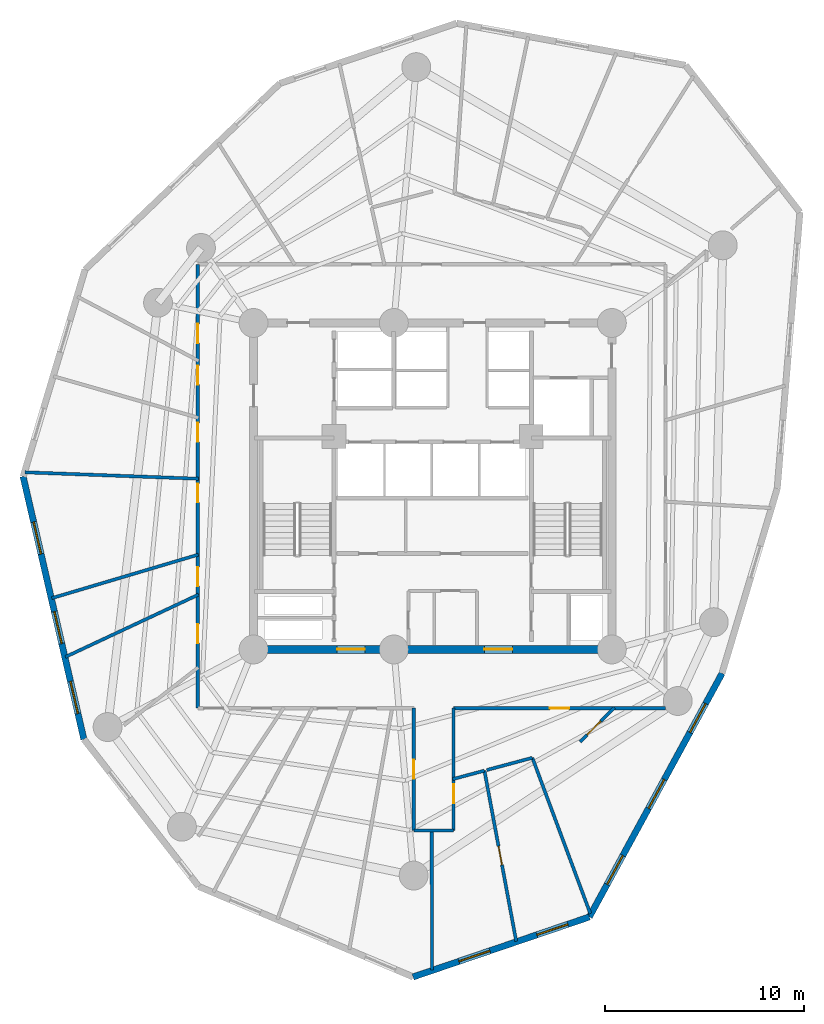
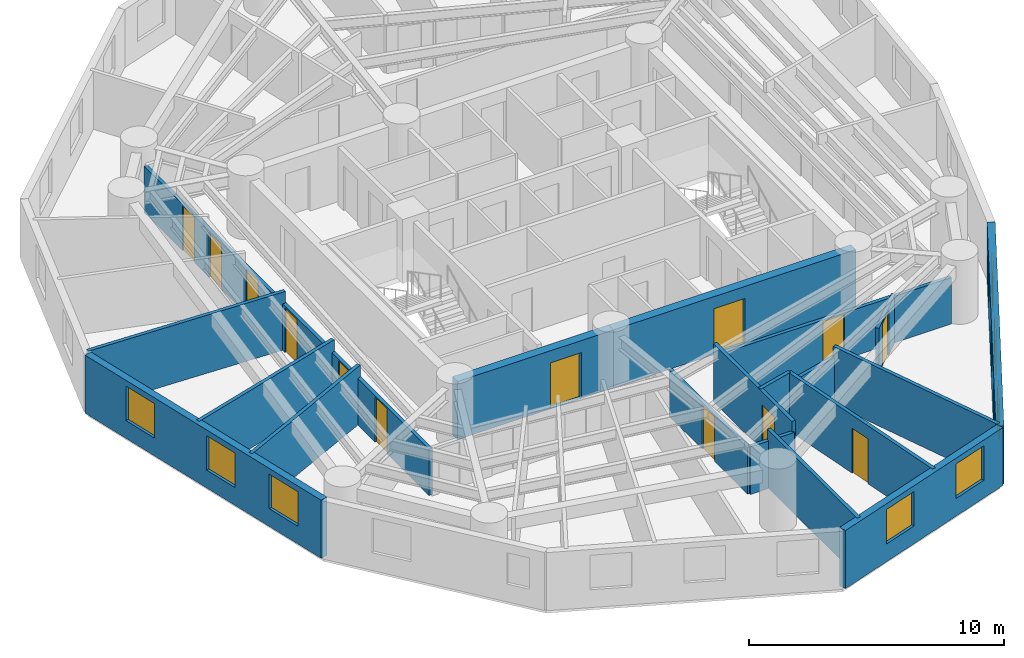
# One storey, part 3 of 7: 19 walls, 13 doors, 8 windows, 21 openings.
"""IFC4 building model written with IfcOpenShell, lengths in metres."""

from ifc_helpers import new_model, si_unit, direction, frame, frame_2d, origin, origin_with_axes, place, context, subcontext, project, spatial, rectangle, extrude, source, transform, mapped, material, layer, layer_set, type_object, element, fill, save


model = new_model("IFC4")

# Units and contexts
model_context = context("Model", 3, precision=1e-05, world=origin(), true_north=direction((0.0, 1.0)))
body_context = subcontext(model_context, "Body", "Model", "MODEL_VIEW")
ifc_project = project(units=[si_unit("LENGTHUNIT", "METRE"), si_unit("AREAUNIT", "SQUARE_METRE"), si_unit("VOLUMEUNIT", "CUBIC_METRE"), si_unit("PLANEANGLEUNIT", "RADIAN"), si_unit("MASSUNIT", "GRAM", prefix="KILO")], contexts=[model_context])

# Site, building, storey
site_placement = place(None, origin())
site = spatial("IfcSite", under=ifc_project, at=site_placement, CompositionType="ELEMENT")
building_placement = place(site_placement, origin())
building = spatial("IfcBuilding", under=site, at=building_placement, Name="Karkom Vertical University and Central Library", CompositionType="ELEMENT")
storey_placement = place(building_placement, frame((0.0, 0.0, 145.0)))
storey = spatial("IfcBuildingStorey", under=building, at=storey_placement, Name="L41", CompositionType="ELEMENT", Elevation=145.0)

# Wall, openings, windows
ifc_material_1 = material(Name="Brick-faced precast concrete C45/55", Category="masonry")
ifc_layer_1 = layer(ifc_material_1, 0.320068359375)
ifc_layer_set_1 = layer_set([ifc_layer_1], Name="Brick-faced precast concrete C45/55")
wall_type_1 = type_object("IfcWallType", Name="ENV-WL-BRK-320", PredefinedType="SOLIDWALL", material=ifc_layer_set_1)
wall_1_placement = place(storey_placement, frame((7.92724609375, 26.987548828125, 0.0), z_axis=(0.0, 0.0, 1.0), x_axis=(0.225263576739, -0.97429786051, 0.0)))
wall_1 = element("IfcWall", 1, at=wall_1_placement, inside=storey, type_object=wall_type_1, Name="Level 41 Brick-Faced Precast Facade Wall 02", PredefinedType="SOLIDWALL", context=body_context, shape_type="SweptSolid", body=[
    extrude(rectangle(XDim=13.54638671875, YDim=0.320068359375, at=frame_2d((6.773193359375, 0.0))), origin(), (0.0, 0.0, 1.0), 2.77490234375),
])
opening_1_placement = place(wall_1_placement, frame((2.3427734375, 0.0, 0.85009765625)))
opening_1 = element("IfcOpeningElement", 2, at=opening_1_placement, cuts=wall_1, Name="Opening WN-06", PredefinedType="OPENING", context=body_context, shape_type="SweptSolid", body=[
    extrude(rectangle(XDim=1.64990234375, YDim=1.64990234375, at=frame_2d((0.824951171875, 0.824951171875))), frame((0.0, 0.169921875, 0.0), z_axis=(0.0, -1.0, 0.0), x_axis=(1.0, 0.0, 0.0)), (0.0, 0.0, 1.0), 0.340087890625),
])
opening_2_placement = place(wall_1_placement, frame((6.96337890625, 0.0, 0.85009765625)))
opening_2 = element("IfcOpeningElement", 3, at=opening_2_placement, cuts=wall_1, Name="Opening WN-06", PredefinedType="OPENING", context=body_context, shape_type="SweptSolid", body=[
    extrude(rectangle(XDim=1.64990234375, YDim=1.64990234375, at=frame_2d((0.824951171875, 0.824951171875))), frame((0.0, 0.169921875, 0.0), z_axis=(0.0, -1.0, 0.0), x_axis=(1.0, 0.0, 0.0)), (0.0, 0.0, 1.0), 0.340087890625),
])
opening_3_placement = place(wall_1_placement, frame((10.569091796875, 0.0, 0.85009765625)))
opening_3 = element("IfcOpeningElement", 4, at=opening_3_placement, cuts=wall_1, Name="Opening WN-06", PredefinedType="OPENING", context=body_context, shape_type="SweptSolid", body=[
    extrude(rectangle(XDim=1.64990234375, YDim=1.64990234375, at=frame_2d((0.824951171875, 0.824951171875))), frame((0.0, 0.169921875, 0.0), z_axis=(0.0, -1.0, 0.0), x_axis=(1.0, 0.0, 0.0)), (0.0, 0.0, 1.0), 0.340087890625),
])
ifc_material_2 = material(Name="Aluminium thermal-break frame with solar-control IGU", Category="aluminium")
window_type = type_object("IfcWindowType", Name="ENV-WIN-WN-06", PartitioningType="SINGLE_PANEL", PredefinedType="WINDOW", material=ifc_material_2)
shared_shape_1 = source(origin_with_axes(), body_context, "Body", "SweptSolid", [
    extrude(rectangle(XDim=1.64990234375, YDim=1.64990234375, at=frame_2d((0.824951171875, 0.824951171875))), frame((0.0, 0.030029296875, 0.0), z_axis=(0.0, -1.0, 0.0), x_axis=(1.0, 0.0, 0.0)), (0.0, 0.0, 1.0), 0.06005859375),
])
window_1_placement = place(opening_1_placement, origin())
window_1 = element("IfcWindow", 5, at=window_1_placement, inside=storey, type_object=window_type, Name="Level 41 Punched Window 2.1", OverallHeight=1.64990234375, OverallWidth=1.64990234375, PartitioningType="SINGLE_PANEL", PredefinedType="WINDOW", context=body_context, shape_type="MappedRepresentation", body=[
    mapped(shared_shape_1, transform((0.0, 0.0, 0.0), scale=1.0)),
])
fill(opening_1, window_1)
window_2_placement = place(opening_2_placement, origin())
window_2 = element("IfcWindow", 6, at=window_2_placement, inside=storey, type_object=window_type, Name="Level 41 Punched Window 2.2", OverallHeight=1.64990234375, OverallWidth=1.64990234375, PartitioningType="SINGLE_PANEL", PredefinedType="WINDOW", context=body_context, shape_type="MappedRepresentation", body=[
    mapped(shared_shape_1, transform((0.0, 0.0, 0.0), scale=1.0)),
])
fill(opening_2, window_2)
window_3_placement = place(opening_3_placement, origin())
window_3 = element("IfcWindow", 7, at=window_3_placement, inside=storey, type_object=window_type, Name="Level 41 Punched Window 2.3", OverallHeight=1.64990234375, OverallWidth=1.64990234375, PartitioningType="SINGLE_PANEL", PredefinedType="WINDOW", context=body_context, shape_type="MappedRepresentation", body=[
    mapped(shared_shape_1, transform((0.0, 0.0, 0.0), scale=1.0)),
])
fill(opening_3, window_3)

wall_2_placement = place(storey_placement, frame((27.51416015625, 1.85009765625, 0.0), z_axis=(0.0, 0.0, 1.0), x_axis=(0.946683948228, 0.322163781588, 0.0)))
wall_2 = element("IfcWall", 8, at=wall_2_placement, inside=storey, type_object=wall_type_1, Name="Level 41 Brick-Faced Precast Facade Wall 05", PredefinedType="SOLIDWALL", context=body_context, shape_type="SweptSolid", body=[
    extrude(rectangle(XDim=9.355224609375, YDim=0.320068359375, at=frame_2d((4.677734375, 0.0))), origin(), (0.0, 0.0, 1.0), 2.77490234375),
])
opening_4_placement = place(wall_2_placement, frame((2.4296875, 0.0, 0.85009765625)))
opening_4 = element("IfcOpeningElement", 9, at=opening_4_placement, cuts=wall_2, Name="Opening WN-06", PredefinedType="OPENING", context=body_context, shape_type="SweptSolid", body=[
    extrude(rectangle(XDim=1.64990234375, YDim=1.64990234375, at=frame_2d((0.824951171875, 0.824951171875))), frame((0.0, 0.169921875, 0.0), z_axis=(0.0, -1.0, 0.0), x_axis=(1.0, 0.0, 0.0)), (0.0, 0.0, 1.0), 0.340087890625),
])
opening_5_placement = place(wall_2_placement, frame((6.566650390625, 0.0, 0.85009765625)))
opening_5 = element("IfcOpeningElement", 10, at=opening_5_placement, cuts=wall_2, Name="Opening WN-06", PredefinedType="OPENING", context=body_context, shape_type="SweptSolid", body=[
    extrude(rectangle(XDim=1.64990234375, YDim=1.64990234375, at=frame_2d((0.824951171875, 0.824951171875))), frame((0.0, 0.169921875, 0.0), z_axis=(0.0, -1.0, 0.0), x_axis=(1.0, 0.0, 0.0)), (0.0, 0.0, 1.0), 0.340087890625),
])
window_4_placement = place(opening_4_placement, origin())
window_4 = element("IfcWindow", 11, at=window_4_placement, inside=storey, type_object=window_type, Name="Level 41 Punched Window 5.1", OverallHeight=1.64990234375, OverallWidth=1.64990234375, PartitioningType="SINGLE_PANEL", PredefinedType="WINDOW", context=body_context, shape_type="MappedRepresentation", body=[
    mapped(shared_shape_1, transform((0.0, 0.0, 0.0), scale=1.0)),
])
fill(opening_4, window_4)
window_5_placement = place(opening_5_placement, origin())
window_5 = element("IfcWindow", 12, at=window_5_placement, inside=storey, type_object=window_type, Name="Level 41 Punched Window 5.2", OverallHeight=1.64990234375, OverallWidth=1.64990234375, PartitioningType="SINGLE_PANEL", PredefinedType="WINDOW", context=body_context, shape_type="MappedRepresentation", body=[
    mapped(shared_shape_1, transform((0.0, 0.0, 0.0), scale=1.0)),
])
fill(opening_5, window_5)

wall_3_placement = place(storey_placement, frame((36.37060546875, 4.864013671875, 0.0), z_axis=(0.0, 0.0, 1.0), x_axis=(0.478491211875, 0.878092341476, 0.0)))
wall_3 = element("IfcWall", 13, at=wall_3_placement, inside=storey, type_object=wall_type_1, Name="Level 41 Brick-Faced Precast Facade Wall 06", PredefinedType="SOLIDWALL", context=body_context, shape_type="SweptSolid", body=[
    extrude(rectangle(XDim=13.935302734375, YDim=0.320068359375, at=frame_2d((6.9677734375, 0.0))), origin(), (0.0, 0.0, 1.0), 2.77490234375),
])
opening_6_placement = place(wall_3_placement, frame((1.863525390625, 0.0, 0.85009765625)))
opening_6 = element("IfcOpeningElement", 14, at=opening_6_placement, cuts=wall_3, Name="Opening WN-06", PredefinedType="OPENING", context=body_context, shape_type="SweptSolid", body=[
    extrude(rectangle(XDim=1.64990234375, YDim=1.64990234375, at=frame_2d((0.824951171875, 0.824951171875))), frame((0.0, 0.169921875, 0.0), z_axis=(0.0, -1.0, 0.0), x_axis=(1.0, 0.0, 0.0)), (0.0, 0.0, 1.0), 0.340087890625),
])
opening_7_placement = place(wall_3_placement, frame((6.210205078125, 0.0, 0.85009765625)))
opening_7 = element("IfcOpeningElement", 15, at=opening_7_placement, cuts=wall_3, Name="Opening WN-06", PredefinedType="OPENING", context=body_context, shape_type="SweptSolid", body=[
    extrude(rectangle(XDim=1.64990234375, YDim=1.64990234375, at=frame_2d((0.824951171875, 0.824951171875))), frame((0.0, 0.169921875, 0.0), z_axis=(0.0, -1.0, 0.0), x_axis=(1.0, 0.0, 0.0)), (0.0, 0.0, 1.0), 0.340087890625),
])
opening_8_placement = place(wall_3_placement, frame((10.556884765625, 0.0, 0.85009765625)))
opening_8 = element("IfcOpeningElement", 16, at=opening_8_placement, cuts=wall_3, Name="Opening WN-06", PredefinedType="OPENING", context=body_context, shape_type="SweptSolid", body=[
    extrude(rectangle(XDim=1.64990234375, YDim=1.64990234375, at=frame_2d((0.824951171875, 0.824951171875))), frame((0.0, 0.169921875, 0.0), z_axis=(0.0, -1.0, 0.0), x_axis=(1.0, 0.0, 0.0)), (0.0, 0.0, 1.0), 0.340087890625),
])
window_6_placement = place(opening_6_placement, origin())
window_6 = element("IfcWindow", 17, at=window_6_placement, inside=storey, type_object=window_type, Name="Level 41 Punched Window 6.1", OverallHeight=1.64990234375, OverallWidth=1.64990234375, PartitioningType="SINGLE_PANEL", PredefinedType="WINDOW", context=body_context, shape_type="MappedRepresentation", body=[
    mapped(shared_shape_1, transform((0.0, 0.0, 0.0), scale=1.0)),
])
fill(opening_6, window_6)
window_7_placement = place(opening_7_placement, origin())
window_7 = element("IfcWindow", 18, at=window_7_placement, inside=storey, type_object=window_type, Name="Level 41 Punched Window 6.2", OverallHeight=1.64990234375, OverallWidth=1.64990234375, PartitioningType="SINGLE_PANEL", PredefinedType="WINDOW", context=body_context, shape_type="MappedRepresentation", body=[
    mapped(shared_shape_1, transform((0.0, 0.0, 0.0), scale=1.0)),
])
fill(opening_7, window_7)
window_8_placement = place(opening_8_placement, origin())
window_8 = element("IfcWindow", 19, at=window_8_placement, inside=storey, type_object=window_type, Name="Level 41 Punched Window 6.3", OverallHeight=1.64990234375, OverallWidth=1.64990234375, PartitioningType="SINGLE_PANEL", PredefinedType="WINDOW", context=body_context, shape_type="MappedRepresentation", body=[
    mapped(shared_shape_1, transform((0.0, 0.0, 0.0), scale=1.0)),
])
fill(opening_8, window_8)

# Wall, openings, doors
ifc_material_3 = material(Name="Insulated metal-stud drywall 160mm", Category="gypsum")
ifc_layer_2 = layer(ifc_material_3, 0.159912109375)
ifc_layer_set_2 = layer_set([ifc_layer_2], Name="Insulated metal-stud drywall 160mm")
wall_type_2 = type_object("IfcWallType", Name="INT-WL-COR-160", PredefinedType="PARTITIONING", material=ifc_layer_set_2)
wall_4_placement = place(storey_placement, frame((16.699951171875, 15.35009765625, 0.0), z_axis=(0.0, 0.0, 1.0), x_axis=(0.0, 1.0, 0.0)))
wall_4 = element("IfcWall", 20, at=wall_4_placement, inside=storey, type_object=wall_type_2, Name="Level 41 Interior Partition Wall L41-CORW-CW-002", PredefinedType="PARTITIONING", context=body_context, shape_type="SweptSolid", body=[
    extrude(rectangle(XDim=22.2998046875, YDim=0.159912109375, at=frame_2d((11.14990234375, 0.0))), origin(), (0.0, 0.0, 1.0), 2.219970703125),
])
opening_9_placement = place(wall_4_placement, frame((10.3349609375, 0.0, 0.0)))
opening_9 = element("IfcOpeningElement", 21, at=opening_9_placement, cuts=wall_4, Name="Opening D-RM1", PredefinedType="OPENING", context=body_context, shape_type="SweptSolid", body=[
    extrude(rectangle(XDim=0.949951171875, YDim=2.14990234375, at=frame_2d((0.47509765625, 1.074951171875))), frame((0.0, 0.08984375, 0.0), z_axis=(0.0, -1.0, 0.0), x_axis=(1.0, 0.0, 0.0)), (0.0, 0.0, 1.0), 0.179931640625),
])
opening_10_placement = place(wall_4_placement, frame((6.12939453125, 0.0, 0.0)))
opening_10 = element("IfcOpeningElement", 22, at=opening_10_placement, cuts=wall_4, Name="Opening FD-RM2", PredefinedType="OPENING", context=body_context, shape_type="SweptSolid", body=[
    extrude(rectangle(XDim=0.9599609375, YDim=2.14990234375, at=frame_2d((0.47998046875, 1.074951171875))), frame((0.0, 0.08984375, 0.0), z_axis=(0.0, -1.0, 0.0), x_axis=(1.0, 0.0, 0.0)), (0.0, 0.0, 1.0), 0.179931640625),
])
opening_11_placement = place(wall_4_placement, frame((3.269287109375, 0.0, 0.0)))
opening_11 = element("IfcOpeningElement", 23, at=opening_11_placement, cuts=wall_4, Name="Opening D-RM1", PredefinedType="OPENING", context=body_context, shape_type="SweptSolid", body=[
    extrude(rectangle(XDim=0.949951171875, YDim=2.14990234375, at=frame_2d((0.47509765625, 1.074951171875))), frame((0.0, 0.08984375, 0.0), z_axis=(0.0, -1.0, 0.0), x_axis=(1.0, 0.0, 0.0)), (0.0, 0.0, 1.0), 0.179931640625),
])
opening_12_placement = place(wall_4_placement, frame((18.33984375, 0.0, 0.0)))
opening_12 = element("IfcOpeningElement", 24, at=opening_12_placement, cuts=wall_4, Name="Opening FD-RM2", PredefinedType="OPENING", context=body_context, shape_type="SweptSolid", body=[
    extrude(rectangle(XDim=0.9599609375, YDim=2.14990234375, at=frame_2d((0.47998046875, 1.074951171875))), frame((0.0, 0.08984375, 0.0), z_axis=(0.0, -1.0, 0.0), x_axis=(1.0, 0.0, 0.0)), (0.0, 0.0, 1.0), 0.179931640625),
])
opening_13_placement = place(wall_4_placement, frame((16.25, 0.0, 0.0)))
opening_13 = element("IfcOpeningElement", 25, at=opening_13_placement, cuts=wall_4, Name="Opening FD-RM2", PredefinedType="OPENING", context=body_context, shape_type="SweptSolid", body=[
    extrude(rectangle(XDim=0.9599609375, YDim=2.14990234375, at=frame_2d((0.47998046875, 1.074951171875))), frame((0.0, 0.08984375, 0.0), z_axis=(0.0, -1.0, 0.0), x_axis=(1.0, 0.0, 0.0)), (0.0, 0.0, 1.0), 0.179931640625),
])
opening_14_placement = place(wall_4_placement, frame((13.3798828125, 0.0, 0.0)))
opening_14 = element("IfcOpeningElement", 26, at=opening_14_placement, cuts=wall_4, Name="Opening D-RM1", PredefinedType="OPENING", context=body_context, shape_type="SweptSolid", body=[
    extrude(rectangle(XDim=0.949951171875, YDim=2.14990234375, at=frame_2d((0.47509765625, 1.074951171875))), frame((0.0, 0.08984375, 0.0), z_axis=(0.0, -1.0, 0.0), x_axis=(1.0, 0.0, 0.0)), (0.0, 0.0, 1.0), 0.179931640625),
])
ifc_material_4 = material(Name="Fire-rated oak veneer door", Category="wood")
door_type_1 = type_object("IfcDoorType", Name="INT-DR-FRM2", OperationType="NOTDEFINED", PredefinedType="DOOR", material=ifc_material_4)
shared_shape_2 = source(origin_with_axes(), body_context, "Body", "SweptSolid", [
    extrude(rectangle(XDim=0.9599609375, YDim=2.14990234375, at=frame_2d((0.47998046875, 1.074951171875))), frame((0.0, 0.02490234375, 0.0), z_axis=(0.0, -1.0, 0.0), x_axis=(1.0, 0.0, 0.0)), (0.0, 0.0, 1.0), 0.050048828125),
])
door_1_placement = place(opening_10_placement, origin())
door_1 = element("IfcDoor", 27, at=door_1_placement, inside=storey, type_object=door_type_1, Name="Level 41 Room Entry Door 010", OperationType="SINGLE_SWING_LEFT", OverallHeight=2.14990234375, OverallWidth=0.9599609375, PredefinedType="DOOR", context=body_context, shape_type="MappedRepresentation", body=[
    mapped(shared_shape_2, transform((0.0, 0.0, 0.0), scale=1.0)),
])
fill(opening_10, door_1)
door_2_placement = place(opening_12_placement, origin())
door_2 = element("IfcDoor", 28, at=door_2_placement, inside=storey, type_object=door_type_1, Name="Level 41 Room Entry Door 220", OperationType="SINGLE_SWING_RIGHT", OverallHeight=2.14990234375, OverallWidth=0.9599609375, PredefinedType="DOOR", context=body_context, shape_type="MappedRepresentation", body=[
    mapped(shared_shape_2, transform((0.0, 0.0, 0.0), scale=1.0)),
])
fill(opening_12, door_2)
door_3_placement = place(opening_13_placement, origin())
door_3 = element("IfcDoor", 29, at=door_3_placement, inside=storey, type_object=door_type_1, Name="Level 41 Room Entry Door 230", OperationType="SINGLE_SWING_LEFT", OverallHeight=2.14990234375, OverallWidth=0.9599609375, PredefinedType="DOOR", context=body_context, shape_type="MappedRepresentation", body=[
    mapped(shared_shape_2, transform((0.0, 0.0, 0.0), scale=1.0)),
])
fill(opening_13, door_3)
ifc_material_5 = material(Name="Solid-core oak veneer door", Category="wood")
door_type_2 = type_object("IfcDoorType", Name="INT-DR-RM1", OperationType="NOTDEFINED", PredefinedType="DOOR", material=ifc_material_5)
shared_shape_3 = source(origin_with_axes(), body_context, "Body", "SweptSolid", [
    extrude(rectangle(XDim=0.949951171875, YDim=2.14990234375, at=frame_2d((0.47509765625, 1.074951171875))), frame((0.0, 0.02490234375, 0.0), z_axis=(0.0, -1.0, 0.0), x_axis=(1.0, 0.0, 0.0)), (0.0, 0.0, 1.0), 0.050048828125),
])
door_4_placement = place(opening_9_placement, origin())
door_4 = element("IfcDoor", 30, at=door_4_placement, inside=storey, type_object=door_type_2, Name="Level 41 Room Entry Door 000", OperationType="SINGLE_SWING_RIGHT", OverallHeight=2.14990234375, OverallWidth=0.949951171875, PredefinedType="DOOR", context=body_context, shape_type="MappedRepresentation", body=[
    mapped(shared_shape_3, transform((0.0, 0.0, 0.0), scale=1.0)),
])
fill(opening_9, door_4)
door_5_placement = place(opening_11_placement, origin())
door_5 = element("IfcDoor", 31, at=door_5_placement, inside=storey, type_object=door_type_2, Name="Level 41 Room Entry Door 020", OperationType="SINGLE_SWING_RIGHT", OverallHeight=2.14990234375, OverallWidth=0.949951171875, PredefinedType="DOOR", context=body_context, shape_type="MappedRepresentation", body=[
    mapped(shared_shape_3, transform((0.0, 0.0, 0.0), scale=1.0)),
])
fill(opening_11, door_5)
door_6_placement = place(opening_14_placement, origin())
door_6 = element("IfcDoor", 32, at=door_6_placement, inside=storey, type_object=door_type_2, Name="Level 41 Room Entry Door 240", OperationType="SINGLE_SWING_RIGHT", OverallHeight=2.14990234375, OverallWidth=0.949951171875, PredefinedType="DOOR", context=body_context, shape_type="MappedRepresentation", body=[
    mapped(shared_shape_3, transform((0.0, 0.0, 0.0), scale=1.0)),
])
fill(opening_14, door_6)

# Wall, opening, door
wall_5_placement = place(storey_placement, frame((40.199951171875, 15.35009765625, 0.0), z_axis=(0.0, 0.0, 1.0), x_axis=(-1.0, 0.0, 0.0)))
wall_5 = element("IfcWall", 33, at=wall_5_placement, inside=storey, type_object=wall_type_2, Name="Level 41 Interior Partition Wall L41-CORW-CW-005", PredefinedType="PARTITIONING", context=body_context, shape_type="SweptSolid", body=[
    extrude(rectangle(XDim=10.64990234375, YDim=0.159912109375, at=frame_2d((5.324951171875, 0.0))), origin(), (0.0, 0.0, 1.0), 2.219970703125),
])
opening_15_placement = place(wall_5_placement, frame((4.85009765625, 0.0, 0.0)))
opening_15 = element("IfcOpeningElement", 34, at=opening_15_placement, cuts=wall_5, Name="Opening FD-RM2", PredefinedType="OPENING", context=body_context, shape_type="SweptSolid", body=[
    extrude(rectangle(XDim=0.9599609375, YDim=2.14990234375, at=frame_2d((0.47998046875, 1.074951171875))), frame((0.0, 0.08984375, 0.0), z_axis=(0.0, -1.0, 0.0), x_axis=(1.0, 0.0, 0.0)), (0.0, 0.0, 1.0), 0.179931640625),
])
door_7_placement = place(opening_15_placement, origin())
door_7 = element("IfcDoor", 35, at=door_7_placement, inside=storey, type_object=door_type_1, Name="Level 41 Room Entry Door 100", OperationType="SINGLE_SWING_LEFT", OverallHeight=2.14990234375, OverallWidth=0.9599609375, PredefinedType="DOOR", context=body_context, shape_type="MappedRepresentation", body=[
    mapped(shared_shape_2, transform((0.0, 0.0, 0.0), scale=1.0)),
])
fill(opening_15, door_7)

wall_6_placement = place(storey_placement, frame((31.099853515625, 12.2138671875, 0.0), z_axis=(0.0, 0.0, 1.0), x_axis=(0.183069644089, -0.983099946808, 0.0)))
wall_6 = element("IfcWall", 36, at=wall_6_placement, inside=storey, type_object=wall_type_2, Name="Level 41 Interior Partition Wall L41-PW-010", PredefinedType="PARTITIONING", context=body_context, shape_type="SweptSolid", body=[
    extrude(rectangle(XDim=8.720458984375, YDim=0.159912109375, at=frame_2d((4.3603515625, 0.0))), origin(), (0.0, 0.0, 1.0), 2.77490234375),
])
opening_16_placement = place(wall_6_placement, frame((3.86767578125, 0.0, 0.0)))
opening_16 = element("IfcOpeningElement", 37, at=opening_16_placement, cuts=wall_6, Name="Opening D-RM1", PredefinedType="OPENING", context=body_context, shape_type="SweptSolid", body=[
    extrude(rectangle(XDim=0.949951171875, YDim=2.14990234375, at=frame_2d((0.47509765625, 1.074951171875))), frame((0.0, 0.08984375, 0.0), z_axis=(0.0, -1.0, 0.0), x_axis=(1.0, 0.0, 0.0)), (0.0, 0.0, 1.0), 0.179931640625),
])
door_8_placement = place(opening_16_placement, origin())
door_8 = element("IfcDoor", 38, at=door_8_placement, inside=storey, type_object=door_type_2, Name="Level 41 Room Entry Door 090", OperationType="SINGLE_SWING_LEFT", OverallHeight=2.14990234375, OverallWidth=0.949951171875, PredefinedType="DOOR", context=body_context, shape_type="MappedRepresentation", body=[
    mapped(shared_shape_3, transform((0.0, 0.0, 0.0), scale=1.0)),
])
fill(opening_16, door_8)

# Walls
wall_7_placement = place(storey_placement, frame((8.018798828125, 27.199462890625, 0.0), z_axis=(0.0, 0.0, 1.0), x_axis=(0.999313607649, -0.037044750864, 0.0)))
element("IfcWall", 39, at=wall_7_placement, inside=storey, type_object=wall_type_2, Name="Level 41 Interior Partition Wall L41-PW-002", PredefinedType="PARTITIONING", context=body_context, shape_type="SweptSolid", body=[
    extrude(rectangle(XDim=8.732421875, YDim=0.159912109375, at=frame_2d((4.3662109375, 0.0))), origin(), (0.0, 0.0, 1.0), 2.77490234375),
])
wall_8_placement = place(storey_placement, frame((33.5078125, 12.859130859375, 0.0), z_axis=(0.0, 0.0, 1.0), x_axis=(0.348506673198, -0.937306299316, 0.0)))
element("IfcWall", 40, at=wall_8_placement, inside=storey, type_object=wall_type_2, Name="Level 41 Interior Partition Wall L41-PW-013", PredefinedType="PARTITIONING", context=body_context, shape_type="SweptSolid", body=[
    extrude(rectangle(XDim=8.34765625, YDim=0.159912109375, at=frame_2d((4.173828125, 0.0))), origin(), (0.0, 0.0, 1.0), 2.77490234375),
])
wall_9_placement = place(storey_placement, frame((16.728759765625, 23.06494140625, 0.0), z_axis=(0.0, 0.0, 1.0), x_axis=(-0.958572718719, -0.284847929479, 0.0)))
element("IfcWall", 41, at=wall_9_placement, inside=storey, type_object=wall_type_2, Name="Level 41 Interior Partition Wall L41-PW-001", PredefinedType="PARTITIONING", context=body_context, shape_type="SweptSolid", body=[
    extrude(rectangle(XDim=7.68115234375, YDim=0.159912109375, at=frame_2d((3.840576171875, 0.0))), origin(), (0.0, 0.0, 1.0), 2.77490234375),
])
wall_10_placement = place(storey_placement, frame((16.74072265625, 21.05810546875, 0.0), z_axis=(0.0, 0.0, 1.0), x_axis=(-0.905567637558, -0.424201902174, 0.0)))
element("IfcWall", 42, at=wall_10_placement, inside=storey, type_object=wall_type_2, Name="Level 41 Interior Partition Wall L41-PW-003", PredefinedType="PARTITIONING", context=body_context, shape_type="SweptSolid", body=[
    extrude(rectangle(XDim=7.388671875, YDim=0.159912109375, at=frame_2d((3.6943359375, 0.0))), origin(), (0.0, 0.0, 1.0), 2.77490234375),
])
wall_11_placement = place(storey_placement, frame((28.455322265625, 9.22998046875, 0.0), z_axis=(0.0, 0.0, 1.0), x_axis=(0.000868507576, -0.999999622847, 0.0)))
element("IfcWall", 43, at=wall_11_placement, inside=storey, type_object=wall_type_2, Name="Level 41 Interior Partition Wall L41-PW-009", PredefinedType="PARTITIONING", context=body_context, shape_type="SweptSolid", body=[
    extrude(rectangle(XDim=7.027587890625, YDim=0.159912109375, at=frame_2d((3.513671875, 0.0))), origin(), (0.0, 0.0, 1.0), 2.77490234375),
])

# Wall, opening, door
wall_12_placement = place(storey_placement, frame((29.550048828125, 15.35009765625, 0.0), z_axis=(0.0, 0.0, 1.0), x_axis=(0.0, -1.0, 0.0)))
wall_12 = element("IfcWall", 44, at=wall_12_placement, inside=storey, type_object=wall_type_2, Name="Level 41 Interior Partition Wall L41-CORW-CW-006", PredefinedType="PARTITIONING", context=body_context, shape_type="SweptSolid", body=[
    extrude(rectangle(XDim=6.150146484375, YDim=0.159912109375, at=frame_2d((3.0751953125, 0.0))), origin(), (0.0, 0.0, 1.0), 2.77490234375),
])
opening_17_placement = place(wall_12_placement, frame((3.8125, 0.0, 0.0)))
opening_17 = element("IfcOpeningElement", 45, at=opening_17_placement, cuts=wall_12, Name="Opening FD-RM2", PredefinedType="OPENING", context=body_context, shape_type="SweptSolid", body=[
    extrude(rectangle(XDim=0.9599609375, YDim=2.14990234375, at=frame_2d((0.47998046875, 1.074951171875))), frame((0.0, 0.08984375, 0.0), z_axis=(0.0, -1.0, 0.0), x_axis=(1.0, 0.0, 0.0)), (0.0, 0.0, 1.0), 0.179931640625),
])
door_9_placement = place(opening_17_placement, origin())
door_9 = element("IfcDoor", 46, at=door_9_placement, inside=storey, type_object=door_type_1, Name="Level 41 Room Entry Door 080", OperationType="SINGLE_SWING_RIGHT", OverallHeight=2.14990234375, OverallWidth=0.9599609375, PredefinedType="DOOR", context=body_context, shape_type="MappedRepresentation", body=[
    mapped(shared_shape_2, transform((0.0, 0.0, 0.0), scale=1.0)),
])
fill(opening_17, door_9)

wall_13_placement = place(storey_placement, frame((27.550048828125, 9.199951171875, 0.0), z_axis=(0.0, 0.0, 1.0), x_axis=(0.0, 1.0, 0.0)))
wall_13 = element("IfcWall", 47, at=wall_13_placement, inside=storey, type_object=wall_type_2, Name="Level 41 Interior Partition Wall L41-CORW-CW-008", PredefinedType="PARTITIONING", context=body_context, shape_type="SweptSolid", body=[
    extrude(rectangle(XDim=6.150146484375, YDim=0.159912109375, at=frame_2d((3.0751953125, 0.0))), origin(), (0.0, 0.0, 1.0), 2.219970703125),
])
opening_18_placement = place(wall_13_placement, frame((2.60009765625, 0.0, 0.0)))
opening_18 = element("IfcOpeningElement", 48, at=opening_18_placement, cuts=wall_13, Name="Opening FD-RM2", PredefinedType="OPENING", context=body_context, shape_type="SweptSolid", body=[
    extrude(rectangle(XDim=0.9599609375, YDim=2.14990234375, at=frame_2d((0.47998046875, 1.074951171875))), frame((0.0, 0.08984375, 0.0), z_axis=(0.0, -1.0, 0.0), x_axis=(1.0, 0.0, 0.0)), (0.0, 0.0, 1.0), 0.179931640625),
])
door_10_placement = place(opening_18_placement, origin())
door_10 = element("IfcDoor", 49, at=door_10_placement, inside=storey, type_object=door_type_1, Name="Level 41 Room Entry Door 070", OperationType="SINGLE_SWING_LEFT", OverallHeight=2.14990234375, OverallWidth=0.9599609375, PredefinedType="DOOR", context=body_context, shape_type="MappedRepresentation", body=[
    mapped(shared_shape_2, transform((0.0, 0.0, 0.0), scale=1.0)),
])
fill(opening_18, door_10)

wall_14_placement = place(storey_placement, frame((37.62255859375, 15.3818359375, 0.0), z_axis=(0.0, 0.0, 1.0), x_axis=(-0.707106781187, -0.707106781187, 0.0)))
wall_14 = element("IfcWall", 50, at=wall_14_placement, inside=storey, type_object=wall_type_2, Name="Level 41 Interior Partition Wall L41-PW-014", PredefinedType="PARTITIONING", context=body_context, shape_type="SweptSolid", body=[
    extrude(rectangle(XDim=2.423828125, YDim=0.159912109375, at=frame_2d((1.2119140625, 0.0))), origin(), (0.0, 0.0, 1.0), 2.27490234375),
])
opening_19_placement = place(wall_14_placement, frame((0.969482421875, 0.0, 0.0)))
opening_19 = element("IfcOpeningElement", 51, at=opening_19_placement, cuts=wall_14, Name="Opening FD-RM2", PredefinedType="OPENING", context=body_context, shape_type="SweptSolid", body=[
    extrude(rectangle(XDim=0.9599609375, YDim=2.14990234375, at=frame_2d((0.47998046875, 1.074951171875))), frame((0.0, 0.08984375, 0.0), z_axis=(0.0, -1.0, 0.0), x_axis=(1.0, 0.0, 0.0)), (0.0, 0.0, 1.0), 0.179931640625),
])
door_11_placement = place(opening_19_placement, origin())
door_11 = element("IfcDoor", 52, at=door_11_placement, inside=storey, type_object=door_type_1, Name="Level 41 Room Entry Door 110", OperationType="SINGLE_SWING_RIGHT", OverallHeight=2.14990234375, OverallWidth=0.9599609375, PredefinedType="DOOR", context=body_context, shape_type="MappedRepresentation", body=[
    mapped(shared_shape_2, transform((0.0, 0.0, 0.0), scale=1.0)),
])
fill(opening_19, door_11)

# Walls
wall_15_placement = place(storey_placement, frame((31.216064453125, 12.244873046875, 0.0), z_axis=(0.0, 0.0, 1.0), x_axis=(0.965906248911, 0.258892097822, 0.0)))
element("IfcWall", 53, at=wall_15_placement, inside=storey, type_object=wall_type_2, Name="Level 41 Interior Partition Wall L41-PW-012", PredefinedType="PARTITIONING", context=body_context, shape_type="SweptSolid", body=[
    extrude(rectangle(XDim=2.37255859375, YDim=0.159912109375, at=frame_2d((1.186279296875, 0.0))), origin(), (0.0, 0.0, 1.0), 2.27490234375),
])
wall_16_placement = place(storey_placement, frame((29.550048828125, 9.199951171875, 0.0), z_axis=(0.0, 0.0, 1.0), x_axis=(-1.0, 0.0, 0.0)))
element("IfcWall", 54, at=wall_16_placement, inside=storey, type_object=wall_type_2, Name="Level 41 Interior Partition Wall L41-CORW-CW-007", PredefinedType="PARTITIONING", context=body_context, shape_type="SweptSolid", body=[
    extrude(rectangle(XDim=2.0, YDim=0.159912109375, at=frame_2d((1.0, 0.0))), origin(), (0.0, 0.0, 1.0), 2.27490234375),
])
wall_17_placement = place(storey_placement, frame((29.506591796875, 11.786865234375, 0.0), z_axis=(0.0, 0.0, 1.0), x_axis=(0.96591237199, 0.258869252009, 0.0)))
element("IfcWall", 55, at=wall_17_placement, inside=storey, type_object=wall_type_2, Name="Level 41 Interior Partition Wall L41-PW-011", PredefinedType="PARTITIONING", context=body_context, shape_type="SweptSolid", body=[
    extrude(rectangle(XDim=1.6494140625, YDim=0.159912109375, at=frame_2d((0.82470703125, 0.0))), origin(), (0.0, 0.0, 1.0), 2.77490234375),
])

# Wall, opening, door
ifc_material_6 = material(Name="Concrete C50/60", Category="concrete")
ifc_layer_3 = layer(ifc_material_6, 0.39990234375)
ifc_layer_set_3 = layer_set([ifc_layer_3], Name="Concrete C50/60")
wall_type_3 = type_object("IfcWallType", Name="STR-WL-CW-400", PredefinedType="SHEAR", material=ifc_layer_set_3)
wall_18_placement = place(storey_placement, frame((19.5, 18.300048828125, 0.0), z_axis=(0.0, 0.0, 1.0), x_axis=(1.0, 0.0, 0.0)))
wall_18 = element("IfcWall", 56, at=wall_18_placement, inside=storey, type_object=wall_type_3, Name="Level 41 Central Core Shear Wall SW1", PredefinedType="SHEAR", context=body_context, shape_type="SweptSolid", body=[
    extrude(rectangle(XDim=7.050048828125, YDim=0.39990234375, at=frame_2d((3.52490234375, 0.0))), origin(), (0.0, 0.0, 1.0), 2.77490234375),
])
opening_20_placement = place(wall_18_placement, frame((4.199951171875, 0.0, 0.0)))
opening_20 = element("IfcOpeningElement", 57, at=opening_20_placement, cuts=wall_18, Name="Opening FD-CLB", PredefinedType="OPENING", context=body_context, shape_type="SweptSolid", body=[
    extrude(rectangle(XDim=1.39990234375, YDim=2.199951171875, at=frame_2d((0.699951171875, 1.10009765625))), frame((0.0, 0.2099609375, 0.0), z_axis=(0.0, -1.0, 0.0), x_axis=(1.0, 0.0, 0.0)), (0.0, 0.0, 1.0), 0.419921875),
])
ifc_material_7 = material(Name="Painted steel fire door", Category="steel")
door_type_3 = type_object("IfcDoorType", Name="INT-DR-CLB", OperationType="DOUBLE_DOOR_SINGLE_SWING", PredefinedType="DOOR", material=ifc_material_7)
shared_shape_4 = source(origin_with_axes(), body_context, "Body", "SweptSolid", [
    extrude(rectangle(XDim=1.39990234375, YDim=2.199951171875, at=frame_2d((0.699951171875, 1.10009765625))), frame((0.0, 0.02490234375, 0.0), z_axis=(0.0, -1.0, 0.0), x_axis=(1.0, 0.0, 0.0)), (0.0, 0.0, 1.0), 0.050048828125),
])
door_12_placement = place(opening_20_placement, origin())
door_12 = element("IfcDoor", 58, at=door_12_placement, inside=storey, type_object=door_type_3, Name="Level 41 South Core Lobby West Exit Door", OperationType="DOUBLE_DOOR_SINGLE_SWING", OverallHeight=2.199951171875, OverallWidth=1.39990234375, PredefinedType="DOOR", context=body_context, shape_type="MappedRepresentation", body=[
    mapped(shared_shape_4, transform((0.0, 0.0, 0.0), scale=1.0)),
])
fill(opening_20, door_12)

wall_19_placement = place(storey_placement, frame((26.550048828125, 18.300048828125, 0.0), z_axis=(0.0, 0.0, 1.0), x_axis=(1.0, 0.0, 0.0)))
wall_19 = element("IfcWall", 59, at=wall_19_placement, inside=storey, type_object=wall_type_3, Name="Level 41 Central Core Shear Wall SW2", PredefinedType="SHEAR", context=body_context, shape_type="SweptSolid", body=[
    extrude(rectangle(XDim=10.949951171875, YDim=0.39990234375, at=frame_2d((5.47509765625, 0.0))), origin(), (0.0, 0.0, 1.0), 2.77490234375),
])
opening_21_placement = place(wall_19_placement, frame((4.550048828125, 0.0, 0.0)))
opening_21 = element("IfcOpeningElement", 60, at=opening_21_placement, cuts=wall_19, Name="Opening FD-CLB", PredefinedType="OPENING", context=body_context, shape_type="SweptSolid", body=[
    extrude(rectangle(XDim=1.39990234375, YDim=2.199951171875, at=frame_2d((0.699951171875, 1.10009765625))), frame((0.0, 0.2099609375, 0.0), z_axis=(0.0, -1.0, 0.0), x_axis=(1.0, 0.0, 0.0)), (0.0, 0.0, 1.0), 0.419921875),
])
door_13_placement = place(opening_21_placement, origin())
door_13 = element("IfcDoor", 61, at=door_13_placement, inside=storey, type_object=door_type_3, Name="Level 41 South Core Lobby East Exit Door", OperationType="DOUBLE_DOOR_SINGLE_SWING", OverallHeight=2.199951171875, OverallWidth=1.39990234375, PredefinedType="DOOR", context=body_context, shape_type="MappedRepresentation", body=[
    mapped(shared_shape_4, transform((0.0, 0.0, 0.0), scale=1.0)),
])
fill(opening_21, door_13)

save(model, "model.ifc")
